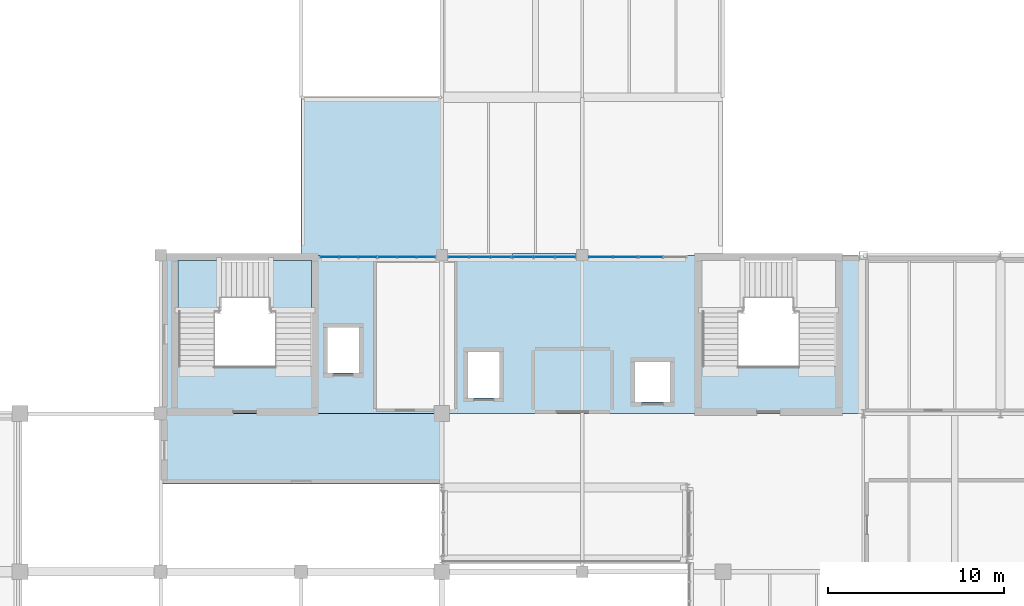
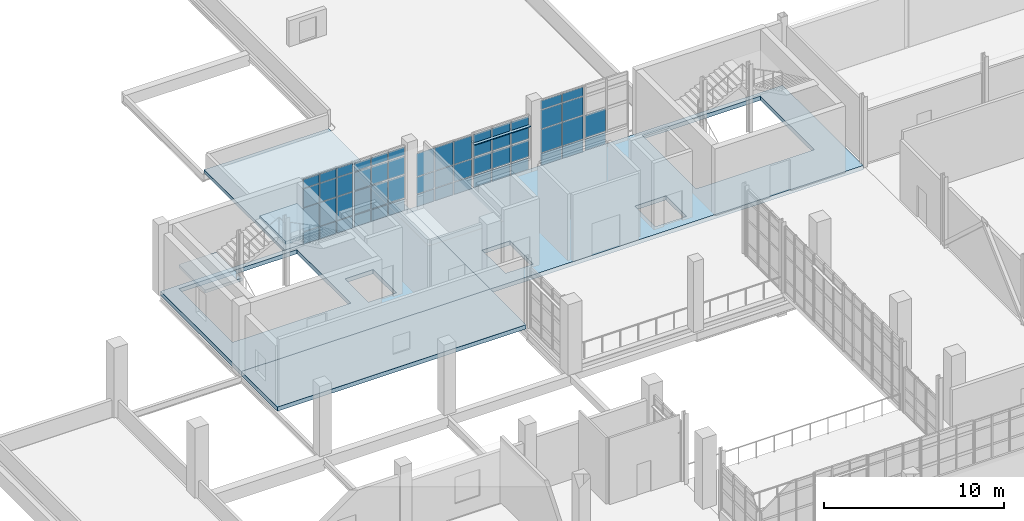
# One storey, part 97 of 127: 53 plates, 6 slabs, 7 elements without a shape of their own.
"""IFC4 building model written with IfcOpenShell, lengths in metres."""

from ifc_helpers import new_model, si_unit, derived_unit, direction, frame, origin, origin_2d, place, context, subcontext, project, spatial, polyline, rectangle, outline, extrude, material, layer, layer_set, type_object, element, aggregate, save


model = new_model("IFC4")

# Units and contexts
model_context = context("Model", 3, precision=1e-05, world=origin(), true_north=direction((0.0, 1.0)))
body_context = subcontext(model_context, "Body", "Model", "MODEL_VIEW")
ifc_project = project(units=[si_unit("LENGTHUNIT", "METRE"), si_unit("AREAUNIT", "SQUARE_METRE"), si_unit("VOLUMEUNIT", "CUBIC_METRE"), si_unit("PLANEANGLEUNIT", "RADIAN"), si_unit("MASSUNIT", "GRAM", prefix="KILO"), derived_unit("THERMALTRANSMITTANCEUNIT", [(si_unit("POWERUNIT", "WATT"), 1), (si_unit("LENGTHUNIT", "METRE"), -2), (si_unit("THERMODYNAMICTEMPERATUREUNIT", "KELVIN"), -1)])], contexts=[model_context])

# Site, building, storey
site_placement = place(None, origin())
site = spatial("IfcSite", under=ifc_project, at=site_placement, CompositionType="ELEMENT")
building_placement = place(site_placement, origin())
building = spatial("IfcBuilding", under=site, at=building_placement, Name="Nallur Shell Playhouse", CompositionType="ELEMENT")
storey_placement = place(building_placement, frame((0.0, 0.0, 5.39990234375)))
storey = spatial("IfcBuildingStorey", under=building, at=storey_placement, Name="L02", CompositionType="ELEMENT", Elevation=5.39990234375)

# Curtain wall, plates
ifc_material_1 = material(Name="Anodised Aluminium Double-Glazed Facade System", Category="aluminium")
ifc_layer_1 = layer(ifc_material_1, 0.1640625)
ifc_layer_set_1 = layer_set([ifc_layer_1], Name="Anodised Aluminium Double-Glazed Facade System")
curtain_wall_type_1 = type_object("IfcCurtainWallType", Name="CW-UNIT-25", PredefinedType="NOTDEFINED", material=ifc_layer_set_1)
curtain_wall_1_placement = place(storey_placement, origin())
curtain_wall_1 = element("IfcCurtainWall", 1, at=curtain_wall_1_placement, inside=storey, type_object=curtain_wall_type_1, Name="Unitised curtain wall CW-025 (L02)", PredefinedType="NOTDEFINED")
ifc_material_2 = material(Name="Solar-Control Low-E Laminated Insulating Glass", Category="glass")
ifc_layer_2 = layer(ifc_material_2, 0.02587890625)
ifc_layer_set_2 = layer_set([ifc_layer_2], Name="Solar-Control Low-E Laminated Insulating Glass")
plate_type_1 = type_object("IfcPlateType", Name="PT-GLZ-01", PredefinedType="CURTAIN_PANEL", material=ifc_layer_set_2)
plate_1_placement = place(storey_placement, frame((49.056396484375, 82.909912109375, 0.05712890625), z_axis=(0.0, 0.0, 1.0), x_axis=(1.0, 0.0, 0.0)))
plate_1 = element("IfcPlate", 2, at=plate_1_placement, type_object=plate_type_1, Name="CW-25 panel 1.1", PredefinedType="CURTAIN_PANEL", context=body_context, shape_type="SweptSolid", body=[
    extrude(rectangle(XDim=1.332763671875, YDim=0.02587890625, at=origin_2d()), origin(), (0.0, 0.0, 1.0), 0.818603515625),
])
plate_2_placement = place(storey_placement, frame((49.056396484375, 82.909912109375, 0.924560546875), z_axis=(0.0, 0.0, 1.0), x_axis=(1.0, 0.0, 0.0)))
plate_2 = element("IfcPlate", 3, at=plate_2_placement, type_object=plate_type_1, Name="CW-25 panel 1.2", PredefinedType="CURTAIN_PANEL", context=body_context, shape_type="SweptSolid", body=[
    extrude(rectangle(XDim=1.332763671875, YDim=0.02587890625, at=origin_2d()), origin(), (0.0, 0.0, 1.0), 1.58203125),
])
plate_3_placement = place(storey_placement, frame((49.056396484375, 82.909912109375, 2.5556640625), z_axis=(0.0, 0.0, 1.0), x_axis=(1.0, 0.0, 0.0)))
plate_3 = element("IfcPlate", 4, at=plate_3_placement, type_object=plate_type_1, Name="CW-25 panel 1.3", PredefinedType="CURTAIN_PANEL", context=body_context, shape_type="SweptSolid", body=[
    extrude(rectangle(XDim=1.332763671875, YDim=0.02587890625, at=origin_2d()), origin(), (0.0, 0.0, 1.0), 1.260009765625),
])
plate_4_placement = place(storey_placement, frame((49.056396484375, 82.909912109375, 3.86474609375), z_axis=(0.0, 0.0, 1.0), x_axis=(1.0, 0.0, 0.0)))
plate_4 = element("IfcPlate", 5, at=plate_4_placement, type_object=plate_type_1, Name="CW-25 panel 1.4", PredefinedType="CURTAIN_PANEL", context=body_context, shape_type="SweptSolid", body=[
    extrude(rectangle(XDim=1.332763671875, YDim=0.02587890625, at=origin_2d()), origin(), (0.0, 0.0, 1.0), 0.598388671875),
])
plate_5_placement = place(storey_placement, frame((50.438232421875, 82.909912109375, 0.05712890625), z_axis=(0.0, 0.0, 1.0), x_axis=(1.0, 0.0, 0.0)))
plate_5 = element("IfcPlate", 6, at=plate_5_placement, type_object=plate_type_1, Name="CW-25 panel 2.1", PredefinedType="CURTAIN_PANEL", context=body_context, shape_type="SweptSolid", body=[
    extrude(rectangle(XDim=1.332763671875, YDim=0.02587890625, at=origin_2d()), origin(), (0.0, 0.0, 1.0), 0.818603515625),
])
plate_6_placement = place(storey_placement, frame((50.438232421875, 82.909912109375, 0.924560546875), z_axis=(0.0, 0.0, 1.0), x_axis=(1.0, 0.0, 0.0)))
plate_6 = element("IfcPlate", 7, at=plate_6_placement, type_object=plate_type_1, Name="CW-25 panel 2.2", PredefinedType="CURTAIN_PANEL", context=body_context, shape_type="SweptSolid", body=[
    extrude(rectangle(XDim=1.332763671875, YDim=0.02587890625, at=origin_2d()), origin(), (0.0, 0.0, 1.0), 1.58203125),
])
plate_7_placement = place(storey_placement, frame((50.438232421875, 82.909912109375, 2.5556640625), z_axis=(0.0, 0.0, 1.0), x_axis=(1.0, 0.0, 0.0)))
plate_7 = element("IfcPlate", 8, at=plate_7_placement, type_object=plate_type_1, Name="CW-25 panel 2.3", PredefinedType="CURTAIN_PANEL", context=body_context, shape_type="SweptSolid", body=[
    extrude(rectangle(XDim=1.332763671875, YDim=0.02587890625, at=origin_2d()), origin(), (0.0, 0.0, 1.0), 1.260009765625),
])
plate_8_placement = place(storey_placement, frame((50.438232421875, 82.909912109375, 3.86474609375), z_axis=(0.0, 0.0, 1.0), x_axis=(1.0, 0.0, 0.0)))
plate_8 = element("IfcPlate", 9, at=plate_8_placement, type_object=plate_type_1, Name="CW-25 panel 2.4", PredefinedType="CURTAIN_PANEL", context=body_context, shape_type="SweptSolid", body=[
    extrude(rectangle(XDim=1.332763671875, YDim=0.02587890625, at=origin_2d()), origin(), (0.0, 0.0, 1.0), 0.598388671875),
])
aggregate(curtain_wall_1, [plate_1, plate_2, plate_3, plate_4, plate_5, plate_6, plate_7, plate_8])

ifc_layer_3 = layer(ifc_material_1, 0.16796875)
ifc_layer_set_3 = layer_set([ifc_layer_3], Name="Anodised Aluminium Double-Glazed Facade System")
curtain_wall_type_2 = type_object("IfcCurtainWallType", Name="CW-UNIT-26", PredefinedType="NOTDEFINED", material=ifc_layer_set_3)
curtain_wall_2_placement = place(storey_placement, origin())
curtain_wall_2 = element("IfcCurtainWall", 10, at=curtain_wall_2_placement, inside=storey, type_object=curtain_wall_type_2, Name="Unitised curtain wall CW-026 (L02)", PredefinedType="NOTDEFINED")
ifc_layer_4 = layer(ifc_material_2, 0.028076171875)
ifc_layer_set_4 = layer_set([ifc_layer_4], Name="Solar-Control Low-E Laminated Insulating Glass")
plate_type_2 = type_object("IfcPlateType", Name="PT-GLZ-02", PredefinedType="CURTAIN_PANEL", material=ifc_layer_set_4)
plate_9_placement = place(storey_placement, frame((51.898681640625, 82.909912109375, 0.092041015625), z_axis=(0.0, 0.0, 1.0), x_axis=(1.0, 0.0, 0.0)))
plate_9 = element("IfcPlate", 11, at=plate_9_placement, type_object=plate_type_2, Name="CW-26 panel 1.1", PredefinedType="CURTAIN_PANEL", context=body_context, shape_type="SweptSolid", body=[
    extrude(rectangle(XDim=1.310302734375, YDim=0.028076171875, at=origin_2d()), origin(), (0.0, 0.0, 1.0), 0.76611328125),
])
plate_10_placement = place(storey_placement, frame((51.898681640625, 82.909912109375, 0.9423828125), z_axis=(0.0, 0.0, 1.0), x_axis=(1.0, 0.0, 0.0)))
plate_10 = element("IfcPlate", 12, at=plate_10_placement, type_object=plate_type_2, Name="CW-26 panel 1.2", PredefinedType="CURTAIN_PANEL", context=body_context, shape_type="SweptSolid", body=[
    extrude(rectangle(XDim=1.310302734375, YDim=0.028076171875, at=origin_2d()), origin(), (0.0, 0.0, 1.0), 1.535888671875),
])
aggregate(curtain_wall_2, [plate_9, plate_10])

ifc_layer_5 = layer(ifc_material_1, 0.172119140625)
ifc_layer_set_5 = layer_set([ifc_layer_5], Name="Anodised Aluminium Double-Glazed Facade System")
curtain_wall_type_3 = type_object("IfcCurtainWallType", Name="CW-UNIT-21", PredefinedType="NOTDEFINED", material=ifc_layer_set_5)
curtain_wall_3_placement = place(storey_placement, origin())
curtain_wall_3 = element("IfcCurtainWall", 13, at=curtain_wall_3_placement, inside=storey, type_object=curtain_wall_type_3, Name="Unitised curtain wall CW-021 (L02)", PredefinedType="NOTDEFINED")
ifc_layer_6 = layer(ifc_material_2, 0.033935546875)
ifc_layer_set_6 = layer_set([ifc_layer_6], Name="Solar-Control Low-E Laminated Insulating Glass")
plate_type_3 = type_object("IfcPlateType", Name="PT-GLZ-05", PredefinedType="CURTAIN_PANEL", material=ifc_layer_set_6)
plate_11_placement = place(storey_placement, frame((33.619384765625, 82.909912109375, 0.05712890625), z_axis=(0.0, 0.0, 1.0), x_axis=(1.0, 0.0, 0.0)))
plate_11 = element("IfcPlate", 14, at=plate_11_placement, type_object=plate_type_3, Name="CW-21 panel 1.1", PredefinedType="CURTAIN_PANEL", context=body_context, shape_type="SweptSolid", body=[
    extrude(rectangle(XDim=1.004638671875, YDim=0.033935546875, at=origin_2d()), origin(), (0.0, 0.0, 1.0), 0.818603515625),
])
plate_12_placement = place(storey_placement, frame((33.619384765625, 82.909912109375, 0.924560546875), z_axis=(0.0, 0.0, 1.0), x_axis=(1.0, 0.0, 0.0)))
plate_12 = element("IfcPlate", 15, at=plate_12_placement, type_object=plate_type_3, Name="CW-21 panel 1.2", PredefinedType="CURTAIN_PANEL", context=body_context, shape_type="SweptSolid", body=[
    extrude(rectangle(XDim=1.004638671875, YDim=0.033935546875, at=origin_2d()), origin(), (0.0, 0.0, 1.0), 1.58203125),
])
plate_13_placement = place(storey_placement, frame((33.619384765625, 82.909912109375, 2.5556640625), z_axis=(0.0, 0.0, 1.0), x_axis=(1.0, 0.0, 0.0)))
plate_13 = element("IfcPlate", 16, at=plate_13_placement, type_object=plate_type_3, Name="CW-21 panel 1.3", PredefinedType="CURTAIN_PANEL", context=body_context, shape_type="SweptSolid", body=[
    extrude(rectangle(XDim=1.004638671875, YDim=0.033935546875, at=origin_2d()), origin(), (0.0, 0.0, 1.0), 1.260009765625),
])
plate_14_placement = place(storey_placement, frame((33.619384765625, 82.909912109375, 3.86474609375), z_axis=(0.0, 0.0, 1.0), x_axis=(1.0, 0.0, 0.0)))
plate_14 = element("IfcPlate", 17, at=plate_14_placement, type_object=plate_type_3, Name="CW-21 panel 1.4", PredefinedType="CURTAIN_PANEL", context=body_context, shape_type="SweptSolid", body=[
    extrude(rectangle(XDim=1.004638671875, YDim=0.033935546875, at=origin_2d()), origin(), (0.0, 0.0, 1.0), 0.598388671875),
])
plate_15_placement = place(storey_placement, frame((34.70166015625, 82.909912109375, 0.05712890625), z_axis=(0.0, 0.0, 1.0), x_axis=(1.0, 0.0, 0.0)))
plate_15 = element("IfcPlate", 18, at=plate_15_placement, type_object=plate_type_3, Name="CW-21 panel 2.1", PredefinedType="CURTAIN_PANEL", context=body_context, shape_type="SweptSolid", body=[
    extrude(rectangle(XDim=1.042236328125, YDim=0.033935546875, at=origin_2d()), origin(), (0.0, 0.0, 1.0), 0.818603515625),
])
plate_16_placement = place(storey_placement, frame((34.70166015625, 82.909912109375, 0.924560546875), z_axis=(0.0, 0.0, 1.0), x_axis=(1.0, 0.0, 0.0)))
plate_16 = element("IfcPlate", 19, at=plate_16_placement, type_object=plate_type_3, Name="CW-21 panel 2.2", PredefinedType="CURTAIN_PANEL", context=body_context, shape_type="SweptSolid", body=[
    extrude(rectangle(XDim=1.042236328125, YDim=0.033935546875, at=origin_2d()), origin(), (0.0, 0.0, 1.0), 1.58203125),
])
plate_17_placement = place(storey_placement, frame((34.70166015625, 82.909912109375, 2.5556640625), z_axis=(0.0, 0.0, 1.0), x_axis=(1.0, 0.0, 0.0)))
plate_17 = element("IfcPlate", 20, at=plate_17_placement, type_object=plate_type_3, Name="CW-21 panel 2.3", PredefinedType="CURTAIN_PANEL", context=body_context, shape_type="SweptSolid", body=[
    extrude(rectangle(XDim=1.042236328125, YDim=0.033935546875, at=origin_2d()), origin(), (0.0, 0.0, 1.0), 1.260009765625),
])
plate_18_placement = place(storey_placement, frame((34.70166015625, 82.909912109375, 3.86474609375), z_axis=(0.0, 0.0, 1.0), x_axis=(1.0, 0.0, 0.0)))
plate_18 = element("IfcPlate", 21, at=plate_18_placement, type_object=plate_type_3, Name="CW-21 panel 2.4", PredefinedType="CURTAIN_PANEL", context=body_context, shape_type="SweptSolid", body=[
    extrude(rectangle(XDim=1.042236328125, YDim=0.033935546875, at=origin_2d()), origin(), (0.0, 0.0, 1.0), 0.598388671875),
])
plate_19_placement = place(storey_placement, frame((35.7841796875, 82.909912109375, 0.05712890625), z_axis=(0.0, 0.0, 1.0), x_axis=(1.0, 0.0, 0.0)))
plate_19 = element("IfcPlate", 22, at=plate_19_placement, type_object=plate_type_3, Name="CW-21 panel 3.1", PredefinedType="CURTAIN_PANEL", context=body_context, shape_type="SweptSolid", body=[
    extrude(rectangle(XDim=1.004638671875, YDim=0.033935546875, at=origin_2d()), origin(), (0.0, 0.0, 1.0), 0.818603515625),
])
plate_20_placement = place(storey_placement, frame((35.7841796875, 82.909912109375, 0.924560546875), z_axis=(0.0, 0.0, 1.0), x_axis=(1.0, 0.0, 0.0)))
plate_20 = element("IfcPlate", 23, at=plate_20_placement, type_object=plate_type_3, Name="CW-21 panel 3.2", PredefinedType="CURTAIN_PANEL", context=body_context, shape_type="SweptSolid", body=[
    extrude(rectangle(XDim=1.004638671875, YDim=0.033935546875, at=origin_2d()), origin(), (0.0, 0.0, 1.0), 1.58203125),
])
plate_21_placement = place(storey_placement, frame((35.7841796875, 82.909912109375, 2.5556640625), z_axis=(0.0, 0.0, 1.0), x_axis=(1.0, 0.0, 0.0)))
plate_21 = element("IfcPlate", 24, at=plate_21_placement, type_object=plate_type_3, Name="CW-21 panel 3.3", PredefinedType="CURTAIN_PANEL", context=body_context, shape_type="SweptSolid", body=[
    extrude(rectangle(XDim=1.004638671875, YDim=0.033935546875, at=origin_2d()), origin(), (0.0, 0.0, 1.0), 1.260009765625),
])
plate_22_placement = place(storey_placement, frame((35.7841796875, 82.909912109375, 3.86474609375), z_axis=(0.0, 0.0, 1.0), x_axis=(1.0, 0.0, 0.0)))
plate_22 = element("IfcPlate", 25, at=plate_22_placement, type_object=plate_type_3, Name="CW-21 panel 3.4", PredefinedType="CURTAIN_PANEL", context=body_context, shape_type="SweptSolid", body=[
    extrude(rectangle(XDim=1.004638671875, YDim=0.033935546875, at=origin_2d()), origin(), (0.0, 0.0, 1.0), 0.598388671875),
])
aggregate(curtain_wall_3, [plate_11, plate_12, plate_13, plate_14, plate_15, plate_16, plate_17, plate_18, plate_19, plate_20, plate_21, plate_22])

ifc_layer_7 = layer(ifc_material_1, 0.176025390625)
ifc_layer_set_7 = layer_set([ifc_layer_7], Name="Anodised Aluminium Double-Glazed Facade System")
curtain_wall_type_4 = type_object("IfcCurtainWallType", Name="CW-UNIT-22", PredefinedType="NOTDEFINED", material=ifc_layer_set_7)
curtain_wall_4_placement = place(storey_placement, origin())
curtain_wall_4 = element("IfcCurtainWall", 26, at=curtain_wall_4_placement, inside=storey, type_object=curtain_wall_type_4, Name="Unitised curtain wall CW-022 (L02)", PredefinedType="NOTDEFINED")
ifc_layer_8 = layer(ifc_material_2, 0.035888671875)
ifc_layer_set_8 = layer_set([ifc_layer_8], Name="Solar-Control Low-E Laminated Insulating Glass")
plate_type_4 = type_object("IfcPlateType", Name="PT-GLZ-06", PredefinedType="CURTAIN_PANEL", material=ifc_layer_set_8)
plate_23_placement = place(storey_placement, frame((36.930419921875, 82.909912109375, 0.092041015625), z_axis=(0.0, 0.0, 1.0), x_axis=(1.0, 0.0, 0.0)))
plate_23 = element("IfcPlate", 27, at=plate_23_placement, type_object=plate_type_4, Name="CW-22 panel 1.1", PredefinedType="CURTAIN_PANEL", context=body_context, shape_type="SweptSolid", body=[
    extrude(rectangle(XDim=1.019775390625, YDim=0.035888671875, at=origin_2d()), origin(), (0.0, 0.0, 1.0), 0.76611328125),
])
plate_24_placement = place(storey_placement, frame((36.930419921875, 82.909912109375, 0.9423828125), z_axis=(0.0, 0.0, 1.0), x_axis=(1.0, 0.0, 0.0)))
plate_24 = element("IfcPlate", 28, at=plate_24_placement, type_object=plate_type_4, Name="CW-22 panel 1.2", PredefinedType="CURTAIN_PANEL", context=body_context, shape_type="SweptSolid", body=[
    extrude(rectangle(XDim=1.019775390625, YDim=0.035888671875, at=origin_2d()), origin(), (0.0, 0.0, 1.0), 1.535888671875),
])
plate_25_placement = place(storey_placement, frame((36.930419921875, 82.909912109375, 2.56201171875), z_axis=(0.0, 0.0, 1.0), x_axis=(1.0, 0.0, 0.0)))
plate_25 = element("IfcPlate", 29, at=plate_25_placement, type_object=plate_type_4, Name="CW-22 panel 1.3", PredefinedType="CURTAIN_PANEL", context=body_context, shape_type="SweptSolid", body=[
    extrude(rectangle(XDim=1.019775390625, YDim=0.035888671875, at=origin_2d()), origin(), (0.0, 0.0, 1.0), 1.216064453125),
])
plate_26_placement = place(storey_placement, frame((36.930419921875, 82.909912109375, 3.862060546875), z_axis=(0.0, 0.0, 1.0), x_axis=(1.0, 0.0, 0.0)))
plate_26 = element("IfcPlate", 30, at=plate_26_placement, type_object=plate_type_4, Name="CW-22 panel 1.4", PredefinedType="CURTAIN_PANEL", context=body_context, shape_type="SweptSolid", body=[
    extrude(rectangle(XDim=1.019775390625, YDim=0.035888671875, at=origin_2d()), origin(), (0.0, 0.0, 1.0), 0.5458984375),
])
plate_27_placement = place(storey_placement, frame((38.01513671875, 82.909912109375, 0.092041015625), z_axis=(0.0, 0.0, 1.0), x_axis=(1.0, 0.0, 0.0)))
plate_27 = element("IfcPlate", 31, at=plate_27_placement, type_object=plate_type_4, Name="CW-22 panel 2.1", PredefinedType="CURTAIN_PANEL", context=body_context, shape_type="SweptSolid", body=[
    extrude(rectangle(XDim=1.05224609375, YDim=0.035888671875, at=origin_2d()), origin(), (0.0, 0.0, 1.0), 0.76611328125),
])
plate_28_placement = place(storey_placement, frame((38.01513671875, 82.909912109375, 0.9423828125), z_axis=(0.0, 0.0, 1.0), x_axis=(1.0, 0.0, 0.0)))
plate_28 = element("IfcPlate", 32, at=plate_28_placement, type_object=plate_type_4, Name="CW-22 panel 2.2", PredefinedType="CURTAIN_PANEL", context=body_context, shape_type="SweptSolid", body=[
    extrude(rectangle(XDim=1.05224609375, YDim=0.035888671875, at=origin_2d()), origin(), (0.0, 0.0, 1.0), 1.535888671875),
])
plate_29_placement = place(storey_placement, frame((38.01513671875, 82.909912109375, 2.56201171875), z_axis=(0.0, 0.0, 1.0), x_axis=(1.0, 0.0, 0.0)))
plate_29 = element("IfcPlate", 33, at=plate_29_placement, type_object=plate_type_4, Name="CW-22 panel 2.3", PredefinedType="CURTAIN_PANEL", context=body_context, shape_type="SweptSolid", body=[
    extrude(rectangle(XDim=1.05224609375, YDim=0.035888671875, at=origin_2d()), origin(), (0.0, 0.0, 1.0), 1.216064453125),
])
plate_30_placement = place(storey_placement, frame((38.01513671875, 82.909912109375, 3.862060546875), z_axis=(0.0, 0.0, 1.0), x_axis=(1.0, 0.0, 0.0)))
plate_30 = element("IfcPlate", 34, at=plate_30_placement, type_object=plate_type_4, Name="CW-22 panel 2.4", PredefinedType="CURTAIN_PANEL", context=body_context, shape_type="SweptSolid", body=[
    extrude(rectangle(XDim=1.05224609375, YDim=0.035888671875, at=origin_2d()), origin(), (0.0, 0.0, 1.0), 0.5458984375),
])
plate_31_placement = place(storey_placement, frame((39.10009765625, 82.909912109375, 0.092041015625), z_axis=(0.0, 0.0, 1.0), x_axis=(1.0, 0.0, 0.0)))
plate_31 = element("IfcPlate", 35, at=plate_31_placement, type_object=plate_type_4, Name="CW-22 panel 3.1", PredefinedType="CURTAIN_PANEL", context=body_context, shape_type="SweptSolid", body=[
    extrude(rectangle(XDim=1.019775390625, YDim=0.035888671875, at=origin_2d()), origin(), (0.0, 0.0, 1.0), 0.76611328125),
])
plate_32_placement = place(storey_placement, frame((39.10009765625, 82.909912109375, 0.9423828125), z_axis=(0.0, 0.0, 1.0), x_axis=(1.0, 0.0, 0.0)))
plate_32 = element("IfcPlate", 36, at=plate_32_placement, type_object=plate_type_4, Name="CW-22 panel 3.2", PredefinedType="CURTAIN_PANEL", context=body_context, shape_type="SweptSolid", body=[
    extrude(rectangle(XDim=1.019775390625, YDim=0.035888671875, at=origin_2d()), origin(), (0.0, 0.0, 1.0), 1.535888671875),
])
plate_33_placement = place(storey_placement, frame((39.10009765625, 82.909912109375, 2.56201171875), z_axis=(0.0, 0.0, 1.0), x_axis=(1.0, 0.0, 0.0)))
plate_33 = element("IfcPlate", 37, at=plate_33_placement, type_object=plate_type_4, Name="CW-22 panel 3.3", PredefinedType="CURTAIN_PANEL", context=body_context, shape_type="SweptSolid", body=[
    extrude(rectangle(XDim=1.019775390625, YDim=0.035888671875, at=origin_2d()), origin(), (0.0, 0.0, 1.0), 1.216064453125),
])
plate_34_placement = place(storey_placement, frame((39.10009765625, 82.909912109375, 3.862060546875), z_axis=(0.0, 0.0, 1.0), x_axis=(1.0, 0.0, 0.0)))
plate_34 = element("IfcPlate", 38, at=plate_34_placement, type_object=plate_type_4, Name="CW-22 panel 3.4", PredefinedType="CURTAIN_PANEL", context=body_context, shape_type="SweptSolid", body=[
    extrude(rectangle(XDim=1.019775390625, YDim=0.035888671875, at=origin_2d()), origin(), (0.0, 0.0, 1.0), 0.5458984375),
])
aggregate(curtain_wall_4, [plate_23, plate_24, plate_25, plate_26, plate_27, plate_28, plate_29, plate_30, plate_31, plate_32, plate_33, plate_34])

ifc_layer_9 = layer(ifc_material_1, 0.179931640625)
ifc_layer_set_9 = layer_set([ifc_layer_9], Name="Anodised Aluminium Double-Glazed Facade System")
curtain_wall_type_5 = type_object("IfcCurtainWallType", Name="CW-UNIT-23", PredefinedType="NOTDEFINED", material=ifc_layer_set_9)
curtain_wall_5_placement = place(storey_placement, origin())
curtain_wall_5 = element("IfcCurtainWall", 39, at=curtain_wall_5_placement, inside=storey, type_object=curtain_wall_type_5, Name="Unitised curtain wall CW-023 (L02)", PredefinedType="NOTDEFINED")
ifc_layer_10 = layer(ifc_material_2, 0.0380859375)
ifc_layer_set_10 = layer_set([ifc_layer_10], Name="Solar-Control Low-E Laminated Insulating Glass")
plate_type_5 = type_object("IfcPlateType", Name="PT-GLZ-07", PredefinedType="CURTAIN_PANEL", material=ifc_layer_set_10)
plate_35_placement = place(storey_placement, frame((40.96337890625, 82.909912109375, 0.05712890625), z_axis=(0.0, 0.0, 1.0), x_axis=(1.0, 0.0, 0.0)))
plate_35 = element("IfcPlate", 40, at=plate_35_placement, type_object=plate_type_5, Name="CW-23 panel 1.1", PredefinedType="CURTAIN_PANEL", context=body_context, shape_type="SweptSolid", body=[
    extrude(rectangle(XDim=1.11669921875, YDim=0.0380859375, at=origin_2d()), origin(), (0.0, 0.0, 1.0), 0.818603515625),
])
plate_36_placement = place(storey_placement, frame((40.96337890625, 82.909912109375, 0.92431640625), z_axis=(0.0, 0.0, 1.0), x_axis=(1.0, 0.0, 0.0)))
plate_36 = element("IfcPlate", 41, at=plate_36_placement, type_object=plate_type_5, Name="CW-23 panel 1.2", PredefinedType="CURTAIN_PANEL", context=body_context, shape_type="SweptSolid", body=[
    extrude(rectangle(XDim=1.11669921875, YDim=0.0380859375, at=origin_2d()), origin(), (0.0, 0.0, 1.0), 1.131103515625),
])
plate_37_placement = place(storey_placement, frame((40.96337890625, 82.909912109375, 2.1044921875), z_axis=(0.0, 0.0, 1.0), x_axis=(1.0, 0.0, 0.0)))
plate_37 = element("IfcPlate", 42, at=plate_37_placement, type_object=plate_type_5, Name="CW-23 panel 1.3", PredefinedType="CURTAIN_PANEL", context=body_context, shape_type="SweptSolid", body=[
    extrude(rectangle(XDim=1.11669921875, YDim=0.0380859375, at=origin_2d()), origin(), (0.0, 0.0, 1.0), 1.553466796875),
])
plate_38_placement = place(storey_placement, frame((42.1640625, 82.909912109375, 0.05712890625), z_axis=(0.0, 0.0, 1.0), x_axis=(1.0, 0.0, 0.0)))
plate_38 = element("IfcPlate", 43, at=plate_38_placement, type_object=plate_type_5, Name="CW-23 panel 2.1", PredefinedType="CURTAIN_PANEL", context=body_context, shape_type="SweptSolid", body=[
    extrude(rectangle(XDim=1.15673828125, YDim=0.0380859375, at=origin_2d()), origin(), (0.0, 0.0, 1.0), 0.818603515625),
])
plate_39_placement = place(storey_placement, frame((42.1640625, 82.909912109375, 0.92431640625), z_axis=(0.0, 0.0, 1.0), x_axis=(1.0, 0.0, 0.0)))
plate_39 = element("IfcPlate", 44, at=plate_39_placement, type_object=plate_type_5, Name="CW-23 panel 2.2", PredefinedType="CURTAIN_PANEL", context=body_context, shape_type="SweptSolid", body=[
    extrude(rectangle(XDim=1.15673828125, YDim=0.0380859375, at=origin_2d()), origin(), (0.0, 0.0, 1.0), 1.131103515625),
])
plate_40_placement = place(storey_placement, frame((42.1640625, 82.909912109375, 2.1044921875), z_axis=(0.0, 0.0, 1.0), x_axis=(1.0, 0.0, 0.0)))
plate_40 = element("IfcPlate", 45, at=plate_40_placement, type_object=plate_type_5, Name="CW-23 panel 2.3", PredefinedType="CURTAIN_PANEL", context=body_context, shape_type="SweptSolid", body=[
    extrude(rectangle(XDim=1.15673828125, YDim=0.0380859375, at=origin_2d()), origin(), (0.0, 0.0, 1.0), 1.553466796875),
])
plate_41_placement = place(storey_placement, frame((43.36474609375, 82.909912109375, 0.05712890625), z_axis=(0.0, 0.0, 1.0), x_axis=(1.0, 0.0, 0.0)))
plate_41 = element("IfcPlate", 46, at=plate_41_placement, type_object=plate_type_5, Name="CW-23 panel 3.1", PredefinedType="CURTAIN_PANEL", context=body_context, shape_type="SweptSolid", body=[
    extrude(rectangle(XDim=1.11669921875, YDim=0.0380859375, at=origin_2d()), origin(), (0.0, 0.0, 1.0), 0.818603515625),
])
plate_42_placement = place(storey_placement, frame((43.36474609375, 82.909912109375, 0.92431640625), z_axis=(0.0, 0.0, 1.0), x_axis=(1.0, 0.0, 0.0)))
plate_42 = element("IfcPlate", 47, at=plate_42_placement, type_object=plate_type_5, Name="CW-23 panel 3.2", PredefinedType="CURTAIN_PANEL", context=body_context, shape_type="SweptSolid", body=[
    extrude(rectangle(XDim=1.11669921875, YDim=0.0380859375, at=origin_2d()), origin(), (0.0, 0.0, 1.0), 1.131103515625),
])
plate_43_placement = place(storey_placement, frame((43.36474609375, 82.909912109375, 2.1044921875), z_axis=(0.0, 0.0, 1.0), x_axis=(1.0, 0.0, 0.0)))
plate_43 = element("IfcPlate", 48, at=plate_43_placement, type_object=plate_type_5, Name="CW-23 panel 3.3", PredefinedType="CURTAIN_PANEL", context=body_context, shape_type="SweptSolid", body=[
    extrude(rectangle(XDim=1.11669921875, YDim=0.0380859375, at=origin_2d()), origin(), (0.0, 0.0, 1.0), 1.553466796875),
])
aggregate(curtain_wall_5, [plate_35, plate_36, plate_37, plate_38, plate_39, plate_40, plate_41, plate_42, plate_43])

ifc_layer_11 = layer(ifc_material_1, 0.159912109375)
ifc_layer_set_11 = layer_set([ifc_layer_11], Name="Anodised Aluminium Double-Glazed Facade System")
curtain_wall_type_6 = type_object("IfcCurtainWallType", Name="CW-UNIT-24", PredefinedType="NOTDEFINED", material=ifc_layer_set_11)
curtain_wall_6_placement = place(storey_placement, origin())
curtain_wall_6 = element("IfcCurtainWall", 49, at=curtain_wall_6_placement, inside=storey, type_object=curtain_wall_type_6, Name="Unitised curtain wall CW-024 (L02)", PredefinedType="NOTDEFINED")
ifc_layer_12 = layer(ifc_material_2, 0.0400390625)
ifc_layer_set_12 = layer_set([ifc_layer_12], Name="Solar-Control Low-E Laminated Insulating Glass")
plate_type_6 = type_object("IfcPlateType", Name="PT-GLZ-08", PredefinedType="CURTAIN_PANEL", material=ifc_layer_set_12)
plate_44_placement = place(storey_placement, frame((44.634033203125, 82.909912109375, 0.092041015625), z_axis=(0.0, 0.0, 1.0), x_axis=(1.0, 0.0, 0.0)))
plate_44 = element("IfcPlate", 50, at=plate_44_placement, type_object=plate_type_6, Name="CW-24 panel 1.1", PredefinedType="CURTAIN_PANEL", context=body_context, shape_type="SweptSolid", body=[
    extrude(rectangle(XDim=1.124267578125, YDim=0.0400390625, at=origin_2d()), origin(), (0.0, 0.0, 1.0), 0.76611328125),
])
plate_45_placement = place(storey_placement, frame((44.634033203125, 82.909912109375, 0.942138671875), z_axis=(0.0, 0.0, 1.0), x_axis=(1.0, 0.0, 0.0)))
plate_45 = element("IfcPlate", 51, at=plate_45_placement, type_object=plate_type_6, Name="CW-24 panel 1.2", PredefinedType="CURTAIN_PANEL", context=body_context, shape_type="SweptSolid", body=[
    extrude(rectangle(XDim=1.124267578125, YDim=0.0400390625, at=origin_2d()), origin(), (0.0, 0.0, 1.0), 1.1298828125),
])
plate_46_placement = place(storey_placement, frame((44.634033203125, 82.909912109375, 2.15625), z_axis=(0.0, 0.0, 1.0), x_axis=(1.0, 0.0, 0.0)))
plate_46 = element("IfcPlate", 52, at=plate_46_placement, type_object=plate_type_6, Name="CW-24 panel 1.3", PredefinedType="CURTAIN_PANEL", context=body_context, shape_type="SweptSolid", body=[
    extrude(rectangle(XDim=1.124267578125, YDim=0.0400390625, at=origin_2d()), origin(), (0.0, 0.0, 1.0), 1.527099609375),
])
plate_47_placement = place(storey_placement, frame((45.8359375, 82.909912109375, 0.092041015625), z_axis=(0.0, 0.0, 1.0), x_axis=(1.0, 0.0, 0.0)))
plate_47 = element("IfcPlate", 53, at=plate_47_placement, type_object=plate_type_6, Name="CW-24 panel 2.1", PredefinedType="CURTAIN_PANEL", context=body_context, shape_type="SweptSolid", body=[
    extrude(rectangle(XDim=1.16162109375, YDim=0.0400390625, at=origin_2d()), origin(), (0.0, 0.0, 1.0), 0.76611328125),
])
plate_48_placement = place(storey_placement, frame((45.8359375, 82.909912109375, 0.942138671875), z_axis=(0.0, 0.0, 1.0), x_axis=(1.0, 0.0, 0.0)))
plate_48 = element("IfcPlate", 54, at=plate_48_placement, type_object=plate_type_6, Name="CW-24 panel 2.2", PredefinedType="CURTAIN_PANEL", context=body_context, shape_type="SweptSolid", body=[
    extrude(rectangle(XDim=1.16162109375, YDim=0.0400390625, at=origin_2d()), origin(), (0.0, 0.0, 1.0), 1.1298828125),
])
plate_49_placement = place(storey_placement, frame((45.8359375, 82.909912109375, 2.15625), z_axis=(0.0, 0.0, 1.0), x_axis=(1.0, 0.0, 0.0)))
plate_49 = element("IfcPlate", 55, at=plate_49_placement, type_object=plate_type_6, Name="CW-24 panel 2.3", PredefinedType="CURTAIN_PANEL", context=body_context, shape_type="SweptSolid", body=[
    extrude(rectangle(XDim=1.16162109375, YDim=0.0400390625, at=origin_2d()), origin(), (0.0, 0.0, 1.0), 1.527099609375),
])
plate_50_placement = place(storey_placement, frame((47.037841796875, 82.909912109375, 0.092041015625), z_axis=(0.0, 0.0, 1.0), x_axis=(1.0, 0.0, 0.0)))
plate_50 = element("IfcPlate", 56, at=plate_50_placement, type_object=plate_type_6, Name="CW-24 panel 3.1", PredefinedType="CURTAIN_PANEL", context=body_context, shape_type="SweptSolid", body=[
    extrude(rectangle(XDim=1.124267578125, YDim=0.0400390625, at=origin_2d()), origin(), (0.0, 0.0, 1.0), 0.76611328125),
])
plate_51_placement = place(storey_placement, frame((47.037841796875, 82.909912109375, 0.942138671875), z_axis=(0.0, 0.0, 1.0), x_axis=(1.0, 0.0, 0.0)))
plate_51 = element("IfcPlate", 57, at=plate_51_placement, type_object=plate_type_6, Name="CW-24 panel 3.2", PredefinedType="CURTAIN_PANEL", context=body_context, shape_type="SweptSolid", body=[
    extrude(rectangle(XDim=1.124267578125, YDim=0.0400390625, at=origin_2d()), origin(), (0.0, 0.0, 1.0), 1.1298828125),
])
plate_52_placement = place(storey_placement, frame((47.037841796875, 82.909912109375, 2.15625), z_axis=(0.0, 0.0, 1.0), x_axis=(1.0, 0.0, 0.0)))
plate_52 = element("IfcPlate", 58, at=plate_52_placement, type_object=plate_type_6, Name="CW-24 panel 3.3", PredefinedType="CURTAIN_PANEL", context=body_context, shape_type="SweptSolid", body=[
    extrude(rectangle(XDim=1.124267578125, YDim=0.0400390625, at=origin_2d()), origin(), (0.0, 0.0, 1.0), 1.527099609375),
])
aggregate(curtain_wall_6, [plate_44, plate_45, plate_46, plate_47, plate_48, plate_49, plate_50, plate_51, plate_52])

# Plate
ifc_material_3 = material(Name="Terracotta & Gold-Anodised Monsoon Sunshade Blade", Category="masonry")
ifc_layer_13 = layer(ifc_material_3, 0.050048828125)
ifc_layer_set_13 = layer_set([ifc_layer_13], Name="Terracotta & Gold-Anodised Monsoon Sunshade Blade")
plate_type_7 = type_object("IfcPlateType", Name="PT-LOUVRE-02", PredefinedType="USERDEFINED", material=ifc_layer_set_13)
plate_53_placement = place(storey_placement, frame((45.8359375, 82.909912109375, 3.0703125), z_axis=(0.0, 0.0, 1.0), x_axis=(1.0, 0.0, 0.0)))
element("IfcPlate", 59, at=plate_53_placement, inside=storey, type_object=plate_type_7, Name="Monsoon sunshade louvre blade LV-006", ObjectType="SUNSHADE LOUVRE", PredefinedType="USERDEFINED", context=body_context, shape_type="SweptSolid", body=[
    extrude(rectangle(XDim=3.6220703125, YDim=0.419921875, at=origin_2d()), origin(), (0.0, 0.0, 1.0), 0.050048828125),
])

# Slab
ifc_material_4 = material(Name="Concrete M35", Category="concrete")
ifc_layer_14 = layer(ifc_material_4, 0.219970703125)
ifc_layer_set_14 = layer_set([ifc_layer_14], Name="Concrete M35")
slab_type_1 = type_object("IfcSlabType", Name="SL-FLATROOF-220", PredefinedType="ROOF", material=ifc_layer_set_14)
slab_1_placement = place(storey_placement, frame((0.0, 0.0, -0.219970703125)))
element("IfcSlab", 60, at=slab_1_placement, inside=storey, type_object=slab_type_1, Name="L02 Paint Workshop roof slab", PredefinedType="ROOF", context=body_context, shape_type="SweptSolid", body=[
    extrude(outline(polyline([(32.0, 83.0), (32.0, 92.0), (40.0, 92.0), (40.0, 83.0), (32.0, 83.0)])), origin(), (0.0, 0.0, 1.0), 0.219970703125),
])

# Stair, slabs
stair_type = type_object("IfcStairType", Name="ST-CORE-48", PredefinedType="QUARTER_TURN_STAIR", material=ifc_material_4)
stair_placement = place(storey_placement, origin())
stair = element("IfcStair", 61, at=stair_placement, inside=storey, type_object=stair_type, Name="Core JC-6 exit stair ST-06-L02 (L02 to L03)", PredefinedType="QUARTER_TURN_STAIR")
ifc_layer_15 = layer(ifc_material_4, 0.199951171875)
ifc_layer_set_15 = layer_set([ifc_layer_15], Name="Concrete M35")
slab_type_2 = type_object("IfcSlabType", Name="SL-LANDING-200", PredefinedType="LANDING", material=ifc_layer_set_15)
slab_2_placement = place(storey_placement, frame((0.0, 0.0, 1.4501953125)))
slab_2 = element("IfcSlab", 62, at=slab_2_placement, type_object=slab_type_2, Name="ST-48 landing 1", PredefinedType="LANDING", context=body_context, shape_type="SweptSolid", body=[
    extrude(outline(polyline([(25.0, 79.800048828125), (27.405029296875, 79.800048828125), (27.405029296875, 82.699951171875), (25.0, 82.699951171875), (25.0, 79.800048828125)])), origin(), (0.0, 0.0, 1.0), 0.199951171875),
])
slab_3_placement = place(storey_placement, frame((0.0, 0.0, 2.9501953125)))
slab_3 = element("IfcSlab", 63, at=slab_3_placement, type_object=slab_type_2, Name="ST-48 landing 2", PredefinedType="LANDING", context=body_context, shape_type="SweptSolid", body=[
    extrude(outline(polyline([(30.195068359375, 79.800048828125), (32.60009765625, 79.800048828125), (32.60009765625, 82.699951171875), (30.195068359375, 82.699951171875), (30.195068359375, 79.800048828125)])), origin(), (0.0, 0.0, 1.0), 0.199951171875),
])
aggregate(stair, [slab_2, slab_3])

# Slabs
ifc_material_5 = material(Name="Concrete M40", Category="concrete")
ifc_layer_16 = layer(ifc_material_5, 0.280029296875)
ifc_layer_set_16 = layer_set([ifc_layer_16], Name="Concrete M40")
slab_type_3 = type_object("IfcSlabType", Name="SL-TRANS-280", PredefinedType="FLOOR", material=ifc_layer_set_16)
slab_4_placement = place(storey_placement, frame((0.0, 0.0, -0.27978515625)))
element("IfcSlab", 64, at=slab_4_placement, inside=storey, type_object=slab_type_3, Name="L02 structural floor slab panel 04", PredefinedType="FLOOR", context=body_context, shape_type="SweptSolid", body=[
    extrude(outline(polyline([(24.0, 70.0), (24.0, 74.0), (40.0, 74.0), (40.0, 70.0), (24.0, 70.0)])), origin(), (0.0, 0.0, 1.0), 0.27978515625),
])
slab_5_placement = place(storey_placement, frame((0.0, 0.0, -0.27978515625)))
element("IfcSlab", 65, at=slab_5_placement, inside=storey, type_object=slab_type_3, Name="L02 structural floor slab panel 05", PredefinedType="FLOOR", context=body_context, shape_type="SweptSolid", body=[
    extrude(outline(polyline([(24.0, 83.0), (40.0, 83.0), (40.0, 74.0), (24.0, 74.0), (24.0, 83.0)]), holes=[polyline([(33.5, 78.89990234375), (33.5, 76.300048828125), (35.300048828125, 76.300048828125), (35.300048828125, 78.89990234375), (33.5, 78.89990234375)]), polyline([(32.60009765625, 76.699951171875), (32.60009765625, 82.699951171875), (25.0, 82.699951171875), (25.0, 76.699951171875), (32.60009765625, 76.699951171875)])]), origin(), (0.0, 0.0, 1.0), 0.27978515625),
])
slab_6_placement = place(storey_placement, frame((0.0, 0.0, -0.27978515625)))
element("IfcSlab", 66, at=slab_6_placement, inside=storey, type_object=slab_type_3, Name="L02 structural floor slab panel 10", PredefinedType="FLOOR", context=body_context, shape_type="SweptSolid", body=[
    extrude(outline(polyline([(54.0, 83.0), (56.0, 83.0), (64.0, 83.0), (64.0, 74.0), (40.0, 74.0), (40.0, 83.0), (54.0, 83.0)]), holes=[polyline([(51.0, 76.949951171875), (51.0, 74.64990234375), (53.0, 74.64990234375), (53.0, 76.949951171875), (51.0, 76.949951171875)]), polyline([(41.5, 77.5), (41.5, 74.89990234375), (43.300048828125, 74.89990234375), (43.300048828125, 77.5), (41.5, 77.5)]), polyline([(62.39990234375, 76.699951171875), (62.39990234375, 82.699951171875), (54.800048828125, 82.699951171875), (54.800048828125, 76.699951171875), (62.39990234375, 76.699951171875)])]), origin(), (0.0, 0.0, 1.0), 0.27978515625),
])

save(model, "model.ifc")
